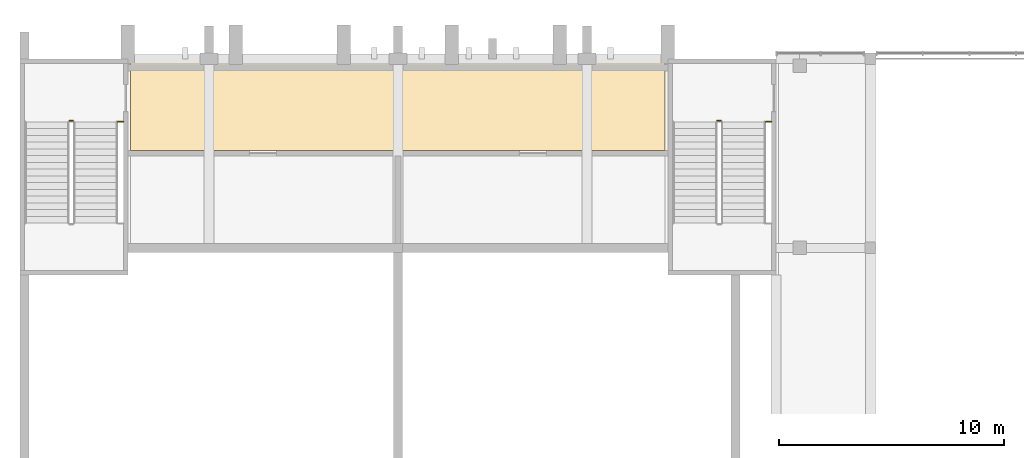
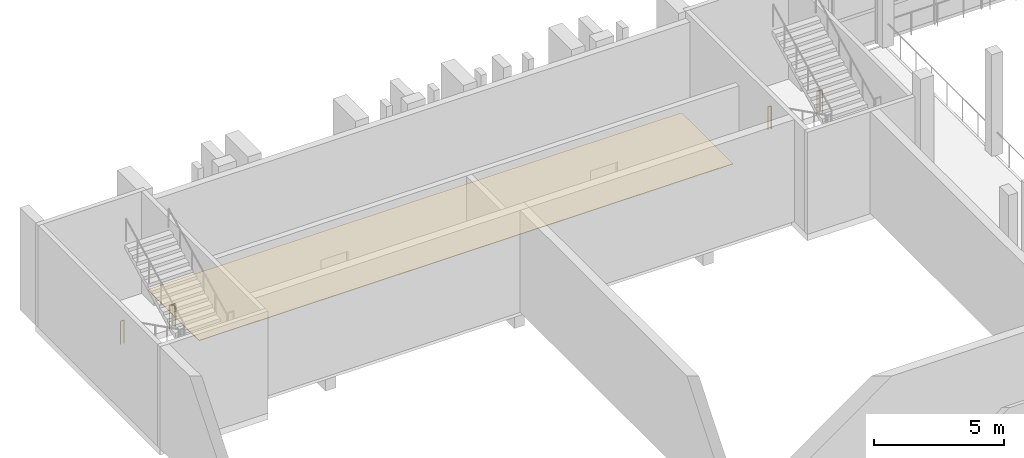
# One storey, part 96 of 100: 4 railings, 1 covering.
"""IFC4 building model written with IfcOpenShell, lengths in metres."""

from ifc_helpers import new_model, si_unit, direction, frame, origin, origin_2d, place, context, subcontext, project, spatial, polyline, circle, outline, extrude, material, layer, layer_set, type_object, element, save


model = new_model("IFC4")

# Units and contexts
model_context = context("Model", 3, precision=1e-05, world=origin(), true_north=direction((0.0, 1.0)))
body_context = subcontext(model_context, "Body", "Model", "MODEL_VIEW")
ifc_project = project(units=[si_unit("LENGTHUNIT", "METRE"), si_unit("AREAUNIT", "SQUARE_METRE"), si_unit("VOLUMEUNIT", "CUBIC_METRE"), si_unit("PLANEANGLEUNIT", "RADIAN"), si_unit("MASSUNIT", "GRAM", prefix="KILO")], contexts=[model_context])

# Site, building, storey
site_placement = place(None, origin())
site = spatial("IfcSite", under=ifc_project, at=site_placement, CompositionType="ELEMENT")
building_placement = place(site_placement, origin())
building = spatial("IfcBuilding", under=site, at=building_placement, Name="Kiln Court Media Centre", CompositionType="ELEMENT")
storey_placement = place(building_placement, frame((0.0, 0.0, 15.0)))
storey = spatial("IfcBuildingStorey", under=building, at=storey_placement, Name="L03", CompositionType="ELEMENT", Elevation=15.0)

# Covering
ifc_material_1 = material(Name="Terrazzo")
ifc_layer = layer(ifc_material_1, 0.02490234375)
ifc_layer_set = layer_set([ifc_layer], Name="Polished terrazzo floor finish 25")
covering_type = type_object("IfcCoveringType", Name="Polished terrazzo floor finish 25", PredefinedType="FLOORING", material=ifc_layer_set)
covering_placement = place(storey_placement, origin())
element("IfcCovering", 1, at=covering_placement, inside=storey, type_object=covering_type, Name="Rear Exit Corridor floor finish", PredefinedType="FLOORING", context=body_context, shape_type="SweptSolid", body=[
    extrude(outline(polyline([(4.919921875, 63.1201171875), (28.679931640625, 63.1201171875), (28.679931640625, 67.080078125), (4.919921875, 67.080078125), (4.919921875, 63.1201171875)])), origin(), (0.0, 0.0, 1.0), 0.02490234375),
])

# Railings
ifc_material_2 = material(Name="Steel S275", Category="steel")
railing_type = type_object("IfcRailingType", Name="Steel S275 stair guard 1100", PredefinedType="GUARDRAIL", material=ifc_material_2)
railing_1_placement = place(storey_placement, frame((2.199951171875, 64.449951171875, 0.0)))
element("IfcRailing", 2, at=railing_1_placement, inside=storey, type_object=railing_type, Name="ST-07 stair guard", PredefinedType="GUARDRAIL", context=body_context, shape_type="SweptSolid", body=[
    extrude(circle(Radius=0.02392578125, at=origin_2d()), frame((0.0, 0.0, 1.076171875), z_axis=(1.0, 0.0, 0.0), x_axis=(0.0, 1.0, 0.0)), (0.0, 0.0, 1.0), 0.150146484375),
    extrude(circle(Radius=0.02099609375, at=origin_2d()), origin(), (0.0, 0.0, 1.0), 1.052001953125),
    extrude(circle(Radius=0.02099609375, at=origin_2d()), frame((0.150146484375, 0.0, 0.0)), (0.0, 0.0, 1.0), 1.052001953125),
])
railing_2_placement = place(storey_placement, frame((4.35009765625, 64.39990234375, 0.0)))
element("IfcRailing", 3, at=railing_2_placement, inside=storey, type_object=railing_type, Name="ST-07 landing edge guard", PredefinedType="GUARDRAIL", context=body_context, shape_type="SweptSolid", body=[
    extrude(circle(Radius=0.02392578125, at=origin_2d()), frame((0.0, 0.0, 1.076171875), z_axis=(1.0, 0.0, 0.0), x_axis=(0.0, 1.0, 0.0)), (0.0, 0.0, 1.0), 0.25),
    extrude(circle(Radius=0.02099609375, at=origin_2d()), origin(), (0.0, 0.0, 1.0), 1.052001953125),
    extrude(circle(Radius=0.02099609375, at=origin_2d()), frame((0.25, 0.0, 0.0)), (0.0, 0.0, 1.0), 1.052001953125),
])
railing_3_placement = place(storey_placement, frame((31.0, 64.449951171875, 0.0)))
element("IfcRailing", 4, at=railing_3_placement, inside=storey, type_object=railing_type, Name="ST-08 stair guard", PredefinedType="GUARDRAIL", context=body_context, shape_type="SweptSolid", body=[
    extrude(circle(Radius=0.02392578125, at=origin_2d()), frame((0.0, 0.0, 1.076171875), z_axis=(1.0, 0.0, 0.0), x_axis=(0.0, 1.0, 0.0)), (0.0, 0.0, 1.0), 0.14990234375),
    extrude(circle(Radius=0.02099609375, at=origin_2d()), origin(), (0.0, 0.0, 1.0), 1.052001953125),
    extrude(circle(Radius=0.02099609375, at=origin_2d()), frame((0.14990234375, 0.0, 0.0)), (0.0, 0.0, 1.0), 1.052001953125),
])
railing_4_placement = place(storey_placement, frame((33.14990234375, 64.39990234375, 0.0)))
element("IfcRailing", 5, at=railing_4_placement, inside=storey, type_object=railing_type, Name="ST-08 landing edge guard", PredefinedType="GUARDRAIL", context=body_context, shape_type="SweptSolid", body=[
    extrude(circle(Radius=0.02392578125, at=origin_2d()), frame((0.0, 0.0, 1.076171875), z_axis=(1.0, 0.0, 0.0), x_axis=(0.0, 1.0, 0.0)), (0.0, 0.0, 1.0), 0.25),
    extrude(circle(Radius=0.02099609375, at=origin_2d()), origin(), (0.0, 0.0, 1.0), 1.052001953125),
    extrude(circle(Radius=0.02099609375, at=origin_2d()), frame((0.25, 0.0, 0.0)), (0.0, 0.0, 1.0), 1.052001953125),
])

save(model, "model.ifc")
